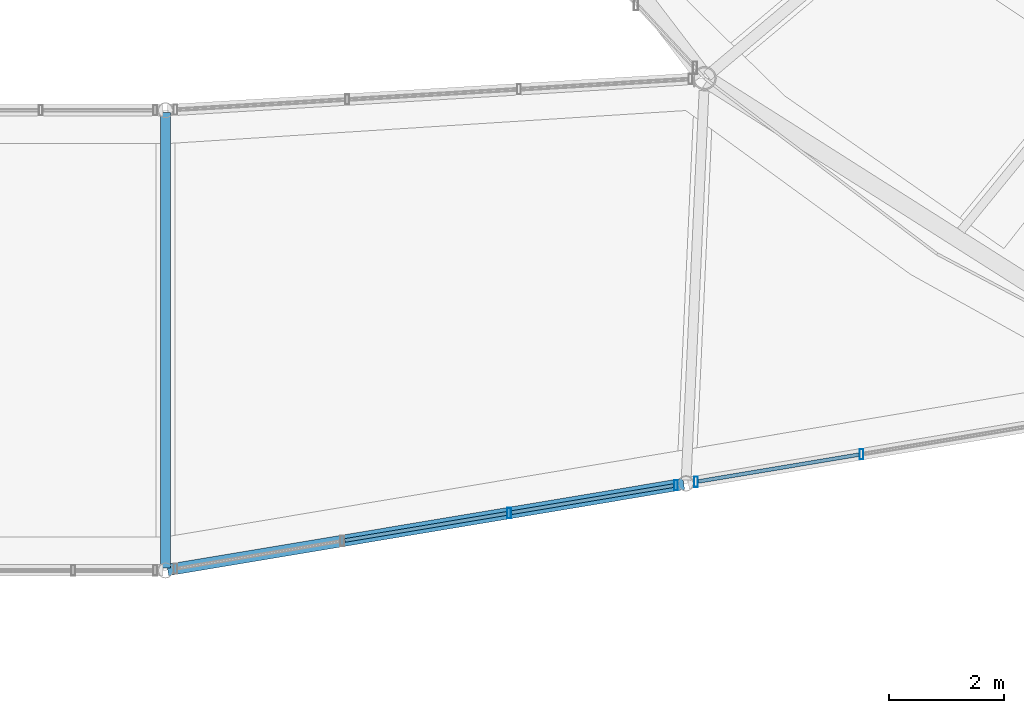
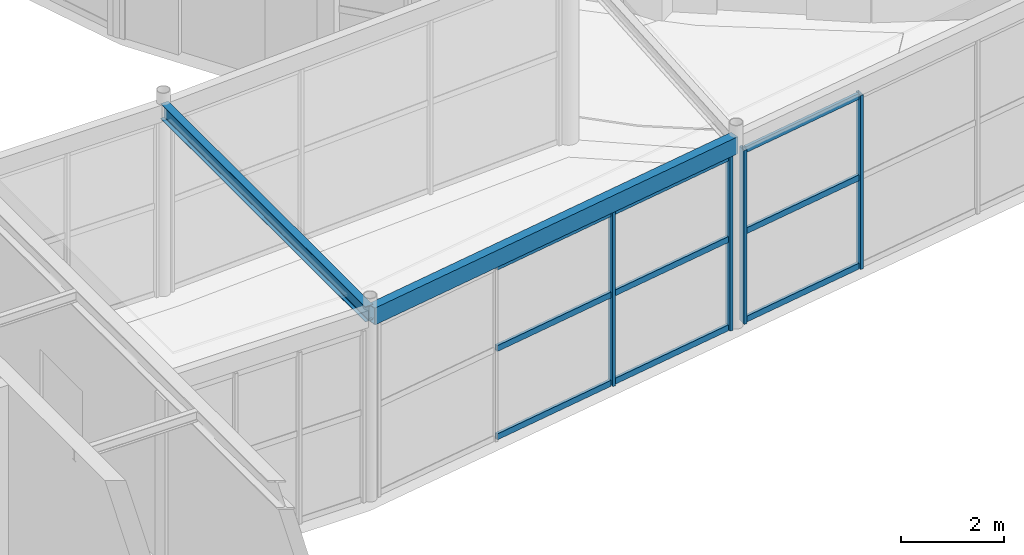
# One storey, part 25 of 108: 13 members, 2 beams, 2 elements without a shape of their own.
"""IFC4 building model written with IfcOpenShell, lengths in metres."""

import ifcopenshell
import ifcopenshell.guid

model = None  # the IFC model being written
_history = None  # IfcOwnerHistory: only IFC2X3 demands one
_inside = {}  # id of a spatial element -> (the spatial element, [elements in it])
_under = {}  # id of a project, library or spatial element -> (it, [spatial elements below it])
_declared = {}  # id of a project -> (the project, [libraries it declares])
_typed = {}  # id of a type object -> (the type object, [elements of that type])
_made_of = {}  # id of a material, layer set ... -> (it, [elements and type objects made of it])


def new_model(schema):
    """Start an empty IFC model of exactly this schema.

    Asked for "IFC4X3", IfcOpenShell would pick the latest addendum, in which some entities
    have other attributes; the version numbers below select the first issue.
    IFC2X3 requires an IfcOwnerHistory on every rooted entity: one is made here for all.
    """
    global model, _history
    if schema == "IFC4X3":
        model = ifcopenshell.file(schema_version=(4, 3, 0, 0))
    else:
        model = ifcopenshell.file(schema=schema)
    _inside.clear()
    _under.clear()
    _declared.clear()
    _typed.clear()
    _made_of.clear()
    _history = None
    if model.schema == "IFC2X3":
        org = make("IfcOrganization", Name="unknown")
        user = make(
            "IfcPersonAndOrganization",
            ThePerson=make("IfcPerson", FamilyName="unknown"),
            TheOrganization=org,
        )
        app = make(
            "IfcApplication",
            ApplicationDeveloper=org,
            Version="unknown",
            ApplicationFullName="unknown",
            ApplicationIdentifier="unknown",
        )
        _history = make(
            "IfcOwnerHistory",
            OwningUser=user,
            OwningApplication=app,
            ChangeAction="ADDED",
            CreationDate=0,
        )
    return model


def make(cls, **values):
    """One entity of the class cls with the attributes given. An attribute that is None is left unset."""
    return model.create_entity(
        cls, **{name: value for name, value in values.items() if value is not None}
    )


def rooted(cls, **values):
    """An entity with a GlobalId (a new one), such as an element, a storey or a relation."""
    return make(cls, GlobalId=ifcopenshell.guid.new(), OwnerHistory=_history, **values)


def si_unit(unit_type, name, prefix=None):
    """IfcSIUnit, for example si_unit("LENGTHUNIT", "METRE", prefix="MILLI")."""
    return make("IfcSIUnit", UnitType=unit_type, Prefix=prefix, Name=name)


def assignment(units):
    """IfcUnitAssignment: the units of a project."""
    return None if units is None else make("IfcUnitAssignment", Units=units)


def point(xyz):
    """IfcCartesianPoint."""
    return None if xyz is None else make("IfcCartesianPoint", Coordinates=xyz)


def direction(xyz):
    """IfcDirection."""
    return None if xyz is None else make("IfcDirection", DirectionRatios=xyz)


def frame(location, z_axis=None, x_axis=None):
    """IfcAxis2Placement3D, a coordinate frame: its origin and axes. An axis left out is left unset."""
    return make(
        "IfcAxis2Placement3D",
        Location=point(location),
        Axis=direction(z_axis),
        RefDirection=direction(x_axis),
    )


def frame_2d(location, x_axis=None):
    """IfcAxis2Placement2D, a coordinate frame in the plane: its origin and x axis."""
    return make(
        "IfcAxis2Placement2D", Location=point(location), RefDirection=direction(x_axis)
    )


def origin():
    """The frame at (0, 0, 0) with its axes left unset."""
    return frame((0.0, 0.0, 0.0))


def origin_2d():
    """The frame at (0, 0) in the plane with its x axis left unset."""
    return frame_2d((0.0, 0.0))


def place(relative_to, where):
    """IfcLocalPlacement: puts the frame where relative to a parent placement (None: the world)."""
    return make(
        "IfcLocalPlacement", PlacementRelTo=relative_to, RelativePlacement=where
    )


def context(
    kind, dimensions, precision=None, world=None, true_north=None, identifier=None
):
    """IfcGeometricRepresentationContext, for example the 3D "Model" context."""
    return make(
        "IfcGeometricRepresentationContext",
        ContextIdentifier=identifier,
        ContextType=kind,
        CoordinateSpaceDimension=dimensions,
        Precision=precision,
        WorldCoordinateSystem=world,
        TrueNorth=true_north,
    )


def subcontext(parent, identifier, kind, view, scale=None):
    """IfcGeometricRepresentationSubContext, for example "Body" below "Model"."""
    return make(
        "IfcGeometricRepresentationSubContext",
        ContextIdentifier=identifier,
        ContextType=kind,
        ParentContext=parent,
        TargetScale=scale,
        TargetView=view,
    )


def project(units=None, contexts=None):
    """IfcProject with its units and contexts."""
    return rooted(
        "IfcProject",
        Name="project",
        RepresentationContexts=contexts,
        UnitsInContext=assignment(units),
    )


def spatial(cls, under=None, at=None, **own):
    """A site, building, storey or space (cls), placed at a placement, below another one or the project."""
    s = rooted(cls, ObjectPlacement=at, **own)
    if under is not None:
        _under.setdefault(under.id(), (under, []))[1].append(s)
    return s


def profile(cls, at=None, kind="AREA", **sizes):
    """A parametric profile (cls). Its sizes go by their IFC names, for example OverallWidth=200.0."""
    return make(cls, ProfileType=kind, Position=at, **sizes)


def hollow_rectangle(**sizes):
    """IfcRectangleHollowProfileDef."""
    return profile("IfcRectangleHollowProfileDef", **sizes)


def i_section(**sizes):
    """IfcIShapeProfileDef."""
    return profile("IfcIShapeProfileDef", **sizes)


def extrude(swept, where, along, depth):
    """IfcExtrudedAreaSolid: the profile swept, set in the frame where, extruded along a direction by depth."""
    return make(
        "IfcExtrudedAreaSolid",
        SweptArea=swept,
        Position=where,
        ExtrudedDirection=direction(along),
        Depth=depth,
    )


def shape(context_of_items, identifier, shape_type, items):
    """IfcShapeRepresentation: the items that make up one representation, for example the "Body"."""
    return make(
        "IfcShapeRepresentation",
        ContextOfItems=context_of_items,
        RepresentationIdentifier=identifier,
        RepresentationType=shape_type,
        Items=items,
    )


def material(Name=None, Category=None):
    """IfcMaterial."""
    return make("IfcMaterial", Name=Name, Category=Category)


def material_profile(
    of_material, cross_section, Name=None, Category=None, Priority=None
):
    """IfcMaterialProfile: a cross section and its material."""
    return make(
        "IfcMaterialProfile",
        Name=Name,
        Material=of_material,
        Profile=cross_section,
        Priority=Priority,
        Category=Category,
    )


def profile_set(profiles, Name=None, composite=None):
    """IfcMaterialProfileSet."""
    return make(
        "IfcMaterialProfileSet",
        Name=Name,
        MaterialProfiles=profiles,
        CompositeProfile=composite,
    )


def made_of(thing, what):
    """Note that an element or type object is made of a material, layer set ...; save() writes the relation."""
    if what is not None:
        _made_of.setdefault(what.id(), (what, []))[1].append(thing)
    return thing


def type_object(cls, material=None, **own):
    """A type object (cls), such as IfcWallType, which elements share."""
    return made_of(rooted(cls, **own), material)


def element(
    cls,
    number,
    at=None,
    inside=None,
    cuts=None,
    type_object=None,
    material=None,
    context=None,
    identifier="Body",
    shape_type=None,
    held_by="IfcProductDefinitionShape",
    body=None,
    shapes=None,
    **own,
):
    """One element of the class cls, such as IfcWall. Its Tag is "e" and its number.

    at: its placement. inside: the storey or other place that contains it. cuts: it is an
    opening in that element (IfcRelVoidsElement). A single representation is given by context,
    identifier, shape_type and body (its items); several are given by shapes. held_by: the class
    of the entity that holds the representations. save() writes the other relations.
    """
    e = rooted(cls, Tag="e%d" % number, ObjectPlacement=at, **own)
    if body is not None:
        shapes = [shape(context, identifier, shape_type, body)]
    if shapes is not None:
        e.Representation = make(held_by, Representations=shapes)
    if inside is not None:
        _inside.setdefault(inside.id(), (inside, []))[1].append(e)
    if cuts is not None:
        rooted(
            "IfcRelVoidsElement", RelatingBuildingElement=cuts, RelatedOpeningElement=e
        )
    if type_object is not None:
        _typed.setdefault(type_object.id(), (type_object, []))[1].append(e)
    return made_of(e, material)


def aggregate(whole, parts):
    """IfcRelAggregates: a whole, such as a stair, and the parts it consists of."""
    return rooted("IfcRelAggregates", RelatingObject=whole, RelatedObjects=parts)


def save(model, path):
    """Write the relations noted so far, then the file.

    IfcRelAggregates (storeys below a building ...), IfcRelContainedInSpatialStructure (elements
    in a storey), IfcRelDefinesByType, IfcRelAssociatesMaterial and IfcRelDeclares: one each for
    every whole, place, type object, material and project.
    """
    for whole, parts in _under.values():
        aggregate(whole, parts)
    for where, things in _inside.values():
        rooted(
            "IfcRelContainedInSpatialStructure",
            RelatedElements=things,
            RelatingStructure=where,
        )
    for kind, things in _typed.values():
        rooted("IfcRelDefinesByType", RelatedObjects=things, RelatingType=kind)
    for what, things in _made_of.values():
        rooted("IfcRelAssociatesMaterial", RelatedObjects=things, RelatingMaterial=what)
    for by, libraries in _declared.values():
        rooted("IfcRelDeclares", RelatingContext=by, RelatedDefinitions=libraries)
    model.write(path)


model = new_model("IFC4")

# Units and contexts
model_context = context("Model", 3, precision=1e-05, world=origin(), true_north=direction((0.0, 1.0)))
body_context = subcontext(model_context, "Body", "Model", "MODEL_VIEW")
ifc_project = project(units=[si_unit("LENGTHUNIT", "METRE"), si_unit("AREAUNIT", "SQUARE_METRE"), si_unit("VOLUMEUNIT", "CUBIC_METRE"), si_unit("PLANEANGLEUNIT", "RADIAN"), si_unit("MASSUNIT", "GRAM", prefix="KILO")], contexts=[model_context])

# Site, building, storey
site_placement = place(None, origin())
site = spatial("IfcSite", under=ifc_project, at=site_placement, CompositionType="ELEMENT")
building_placement = place(site_placement, origin())
building = spatial("IfcBuilding", under=site, at=building_placement, Name="Tarnveldt Headland Concert Hall", CompositionType="ELEMENT")
storey_placement = place(building_placement, origin())
storey = spatial("IfcBuildingStorey", under=building, at=storey_placement, Name="L00", CompositionType="ELEMENT", Elevation=0.0)

# Curtain wall, members
ifc_material_1 = material(Name="Marine-anodised aluminium EN AW-6063-T6", Category="aluminium")
curtain_wall_type = type_object("IfcCurtainWallType", Name="CW-L1", PredefinedType="NOTDEFINED", material=ifc_material_1)
curtain_wall_1_placement = place(storey_placement, origin())
curtain_wall_1 = element("IfcCurtainWall", 1, at=curtain_wall_1_placement, inside=storey, type_object=curtain_wall_type, Name="Curtain wall CW-L00-168", PredefinedType="NOTDEFINED")
ifc_material_profile_1 = material_profile(ifc_material_1, hollow_rectangle(XDim=0.06494140625, YDim=0.179931640625, WallThickness=0.00390625, at=origin_2d()), Name="ALU MULLION 65x180x4", Category="aluminium")
ifc_profile_set_1 = profile_set([ifc_material_profile_1], Name="Marine-anodised aluminium EN AW-6063-T6")
member_type_1 = type_object("IfcMemberType", Name="ML-180", PredefinedType="MULLION", material=ifc_profile_set_1)
member_1_placement = place(storey_placement, frame((54.975341796875, 30.997802734375, 0.0), z_axis=(0.0, 0.0, 1.0), x_axis=(1.0, 0.0, 0.0)))
member_1 = element("IfcMember", 2, at=member_1_placement, type_object=member_type_1, Name="Mullion CW-L00-168-3", PredefinedType="MULLION", context=body_context, shape_type="SweptSolid", body=[
    extrude(hollow_rectangle(XDim=0.06494140625, YDim=0.179931640625, WallThickness=0.00390625, at=origin_2d()), origin(), (0.0, 0.0, 1.0), 4.10791015625),
])
member_2_placement = place(storey_placement, frame((57.8759765625, 31.482177734375, 0.0), z_axis=(0.0, 0.0, 1.0), x_axis=(1.0, 0.0, 0.0)))
member_2 = element("IfcMember", 3, at=member_2_placement, type_object=member_type_1, Name="Mullion CW-L00-168-4", PredefinedType="MULLION", context=body_context, shape_type="SweptSolid", body=[
    extrude(hollow_rectangle(XDim=0.06494140625, YDim=0.179931640625, WallThickness=0.00390625, at=origin_2d()), origin(), (0.0, 0.0, 1.0), 4.10791015625),
])

curtain_wall_2_placement = place(storey_placement, origin())
curtain_wall_2 = element("IfcCurtainWall", 4, at=curtain_wall_2_placement, inside=storey, type_object=curtain_wall_type, Name="Curtain wall CW-L00-169", PredefinedType="NOTDEFINED")
member_3_placement = place(storey_placement, frame((58.22412109375, 31.540283203125, 0.0), z_axis=(0.0, 0.0, 1.0), x_axis=(1.0, 0.0, 0.0)))
member_3 = element("IfcMember", 5, at=member_3_placement, type_object=member_type_1, Name="Mullion CW-L00-169-1", PredefinedType="MULLION", context=body_context, shape_type="SweptSolid", body=[
    extrude(hollow_rectangle(XDim=0.06494140625, YDim=0.179931640625, WallThickness=0.00390625, at=origin_2d()), origin(), (0.0, 0.0, 1.0), 4.10791015625),
])
member_4_placement = place(storey_placement, frame((61.102783203125, 32.02099609375, 0.0), z_axis=(0.0, 0.0, 1.0), x_axis=(1.0, 0.0, 0.0)))
member_4 = element("IfcMember", 6, at=member_4_placement, type_object=member_type_1, Name="Mullion CW-L00-169-2", PredefinedType="MULLION", context=body_context, shape_type="SweptSolid", body=[
    extrude(hollow_rectangle(XDim=0.06494140625, YDim=0.179931640625, WallThickness=0.00390625, at=origin_2d()), origin(), (0.0, 0.0, 1.0), 4.10791015625),
])

# Beams
ifc_material_2 = material(Name="Steel S355", Category="steel")
ifc_material_profile_2 = material_profile(ifc_material_2, i_section(OverallWidth=0.169921875, OverallDepth=0.360107421875, WebThickness=0.008056640625, FlangeThickness=0.0126953125, FilletRadius=0.01806640625, at=origin_2d()), Name="IPE360", Category="steel")
ifc_profile_set_2 = profile_set([ifc_material_profile_2], Name="Steel S355")
beam_type_1 = type_object("IfcBeamType", Name="SB-IPE360", PredefinedType="JOIST", material=ifc_profile_set_2)
beam_1_placement = place(storey_placement, frame((49.0, 30.0400390625, 4.340087890625), z_axis=(0.0, 1.0, 0.0), x_axis=(-1.0, 0.0, 0.0)))
element("IfcBeam", 7, at=beam_1_placement, inside=storey, type_object=beam_type_1, Name="Framing beam L00-605", PredefinedType="JOIST", context=body_context, shape_type="SweptSolid", body=[
    extrude(i_section(OverallWidth=0.169921875, OverallDepth=0.360107421875, WebThickness=0.008056640625, FlangeThickness=0.0126953125, FilletRadius=0.01806640625, at=origin_2d()), origin(), (0.0, 0.0, 1.0), 7.919921875),
])
ifc_material_profile_3 = material_profile(ifc_material_2, hollow_rectangle(XDim=0.199951171875, YDim=0.39990234375, WallThickness=0.01611328125, at=origin_2d()), Name="RHS 400x200x16", Category="steel")
ifc_profile_set_3 = profile_set([ifc_material_profile_3], Name="Steel S355")
beam_type_2 = type_object("IfcBeamType", Name="SB-RHS400", PredefinedType="BEAM", material=ifc_profile_set_3)
beam_2_placement = place(storey_placement, frame((49.03955078125, 30.006591796875, 4.320068359375), z_axis=(0.986342366067, 0.16470803533, 0.0), x_axis=(-0.16470803533, 0.986342366067, 0.0)))
element("IfcBeam", 8, at=beam_2_placement, inside=storey, type_object=beam_type_2, Name="Framing beam BM-LKS2-L00", PredefinedType="BEAM", context=body_context, shape_type="SweptSolid", body=[
    extrude(hollow_rectangle(XDim=0.199951171875, YDim=0.39990234375, WallThickness=0.01611328125, at=origin_2d()), origin(), (0.0, 0.0, 1.0), 9.09521484375),
])

# Member
ifc_material_profile_4 = material_profile(ifc_material_1, hollow_rectangle(XDim=0.06494140625, YDim=0.139892578125, WallThickness=0.00390625, at=origin_2d()), Name="ALU TRANSOM 65x140x4", Category="aluminium")
ifc_profile_set_4 = profile_set([ifc_material_profile_4], Name="Marine-anodised aluminium EN AW-6063-T6")
member_type_2 = type_object("IfcMemberType", Name="TR-140", PredefinedType="MEMBER", material=ifc_profile_set_4)
member_5_placement = place(storey_placement, frame((52.11865234375, 30.520751953125, 0.050048828125), z_axis=(0.98634065362, 0.164718289868, 0.0), x_axis=(-0.164718289868, 0.98634065362, 0.0)))
member_5 = element("IfcMember", 9, at=member_5_placement, type_object=member_type_2, Name="Transom CW-L00-168-2-1", PredefinedType="MEMBER", context=body_context, shape_type="SweptSolid", body=[
    extrude(hollow_rectangle(XDim=0.06494140625, YDim=0.139892578125, WallThickness=0.00390625, at=origin_2d()), origin(), (0.0, 0.0, 1.0), 2.851806640625),
])

member_6_placement = place(storey_placement, frame((52.11865234375, 30.520751953125, 2.13623046875), z_axis=(0.98634065362, 0.164718289868, 0.0), x_axis=(-0.164718289868, 0.98634065362, 0.0)))
member_6 = element("IfcMember", 10, at=member_6_placement, type_object=member_type_2, Name="Transom CW-L00-168-2-2", PredefinedType="MEMBER", context=body_context, shape_type="SweptSolid", body=[
    extrude(hollow_rectangle(XDim=0.06494140625, YDim=0.139892578125, WallThickness=0.00390625, at=origin_2d()), origin(), (0.0, 0.0, 1.0), 2.851806640625),
])

member_7_placement = place(storey_placement, frame((52.11865234375, 30.520751953125, 4.05810546875), z_axis=(0.98634065362, 0.164718289868, 0.0), x_axis=(-0.164718289868, 0.98634065362, 0.0)))
member_7 = element("IfcMember", 11, at=member_7_placement, type_object=member_type_2, Name="Transom CW-L00-168-2-3", PredefinedType="MEMBER", context=body_context, shape_type="SweptSolid", body=[
    extrude(hollow_rectangle(XDim=0.06494140625, YDim=0.139892578125, WallThickness=0.00390625, at=origin_2d()), origin(), (0.0, 0.0, 1.0), 2.851806640625),
])

member_8_placement = place(storey_placement, frame((55.019287109375, 31.005126953125, 0.050048828125), z_axis=(0.98634065362, 0.164718289868, 0.0), x_axis=(-0.164718289868, 0.98634065362, 0.0)))
member_8 = element("IfcMember", 12, at=member_8_placement, type_object=member_type_2, Name="Transom CW-L00-168-3-1", PredefinedType="MEMBER", context=body_context, shape_type="SweptSolid", body=[
    extrude(hollow_rectangle(XDim=0.06494140625, YDim=0.139892578125, WallThickness=0.00390625, at=origin_2d()), origin(), (0.0, 0.0, 1.0), 2.851806640625),
])

member_9_placement = place(storey_placement, frame((55.019287109375, 31.005126953125, 2.13623046875), z_axis=(0.98634065362, 0.164718289868, 0.0), x_axis=(-0.164718289868, 0.98634065362, 0.0)))
member_9 = element("IfcMember", 13, at=member_9_placement, type_object=member_type_2, Name="Transom CW-L00-168-3-2", PredefinedType="MEMBER", context=body_context, shape_type="SweptSolid", body=[
    extrude(hollow_rectangle(XDim=0.06494140625, YDim=0.139892578125, WallThickness=0.00390625, at=origin_2d()), origin(), (0.0, 0.0, 1.0), 2.851806640625),
])

member_10_placement = place(storey_placement, frame((55.019287109375, 31.005126953125, 4.05810546875), z_axis=(0.98634065362, 0.164718289868, 0.0), x_axis=(-0.164718289868, 0.98634065362, 0.0)))
member_10 = element("IfcMember", 14, at=member_10_placement, type_object=member_type_2, Name="Transom CW-L00-168-3-3", PredefinedType="MEMBER", context=body_context, shape_type="SweptSolid", body=[
    extrude(hollow_rectangle(XDim=0.06494140625, YDim=0.139892578125, WallThickness=0.00390625, at=origin_2d()), origin(), (0.0, 0.0, 1.0), 2.851806640625),
])

aggregate(curtain_wall_1, [member_1, member_2, member_5, member_6, member_7, member_8, member_9, member_10])

member_11_placement = place(storey_placement, frame((58.26806640625, 31.547607421875, 0.050048828125), z_axis=(0.986326211424, 0.164804747075, 0.0), x_axis=(-0.164804747075, 0.986326211424, 0.0)))
member_11 = element("IfcMember", 15, at=member_11_placement, type_object=member_type_2, Name="Transom CW-L00-169-1-1", PredefinedType="MEMBER", context=body_context, shape_type="SweptSolid", body=[
    extrude(hollow_rectangle(XDim=0.06494140625, YDim=0.139892578125, WallThickness=0.00390625, at=origin_2d()), origin(), (0.0, 0.0, 1.0), 2.829345703125),
])

member_12_placement = place(storey_placement, frame((58.26806640625, 31.547607421875, 2.13623046875), z_axis=(0.986326211424, 0.164804747075, 0.0), x_axis=(-0.164804747075, 0.986326211424, 0.0)))
member_12 = element("IfcMember", 16, at=member_12_placement, type_object=member_type_2, Name="Transom CW-L00-169-1-2", PredefinedType="MEMBER", context=body_context, shape_type="SweptSolid", body=[
    extrude(hollow_rectangle(XDim=0.06494140625, YDim=0.139892578125, WallThickness=0.00390625, at=origin_2d()), origin(), (0.0, 0.0, 1.0), 2.829345703125),
])

member_13_placement = place(storey_placement, frame((58.26806640625, 31.547607421875, 4.05810546875), z_axis=(0.986326211424, 0.164804747075, 0.0), x_axis=(-0.164804747075, 0.986326211424, 0.0)))
member_13 = element("IfcMember", 17, at=member_13_placement, type_object=member_type_2, Name="Transom CW-L00-169-1-3", PredefinedType="MEMBER", context=body_context, shape_type="SweptSolid", body=[
    extrude(hollow_rectangle(XDim=0.06494140625, YDim=0.139892578125, WallThickness=0.00390625, at=origin_2d()), origin(), (0.0, 0.0, 1.0), 2.829345703125),
])

aggregate(curtain_wall_2, [member_3, member_4, member_11, member_12, member_13])

save(model, "model.ifc")
